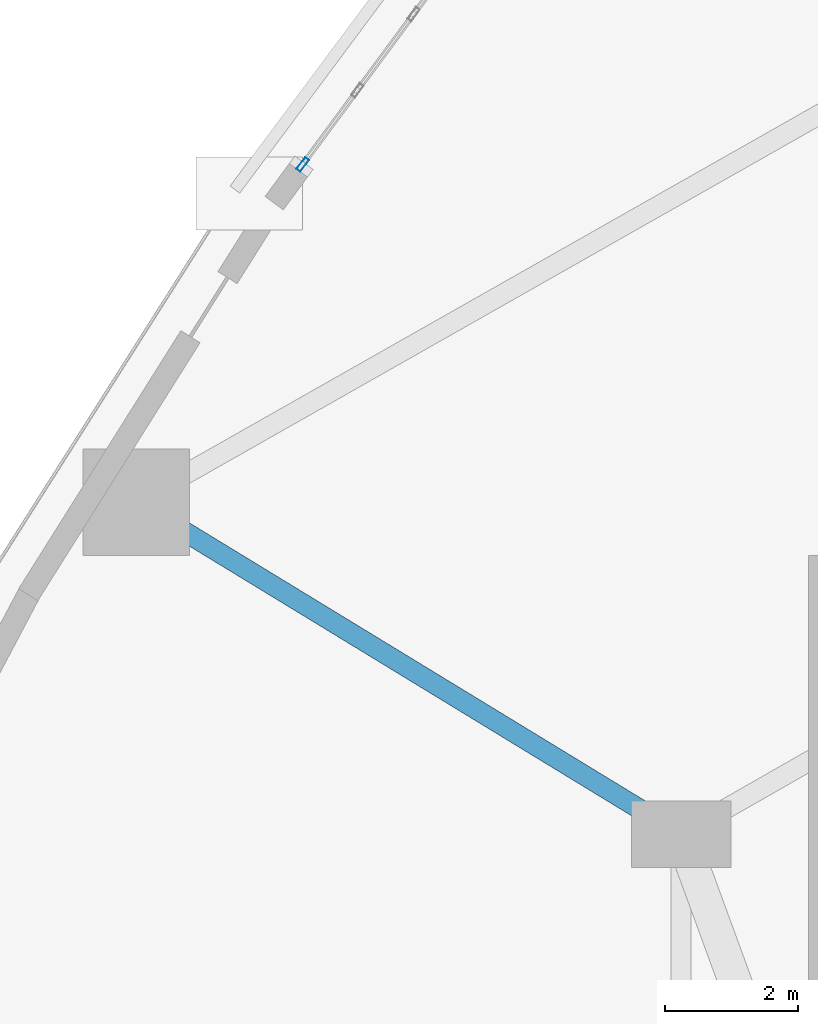
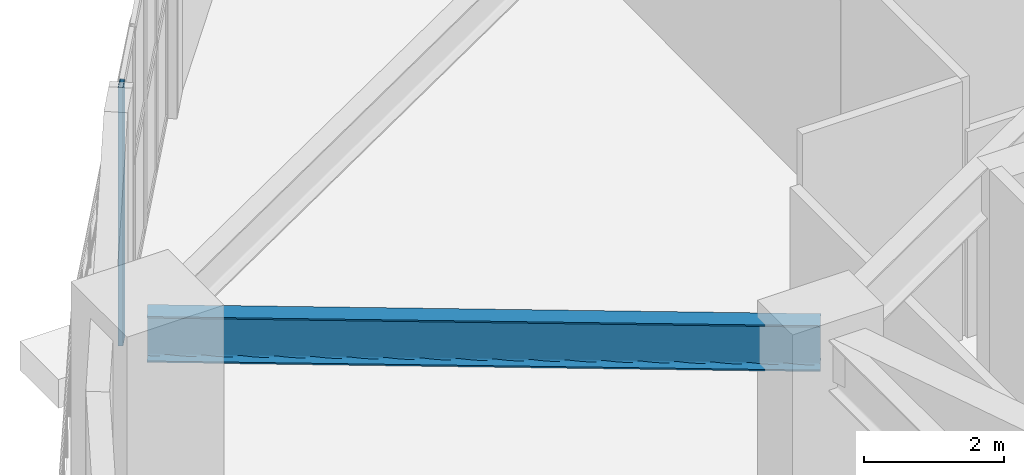
# One storey, part 8 of 23: 1 beam, 1 member, 1 element without a shape of its own.
"""IFC4 building model written with IfcOpenShell, lengths in metres."""

from ifc_helpers import new_model, si_unit, direction, frame, origin, origin_2d, place, context, subcontext, project, spatial, hollow_rectangle, i_section, extrude, material, layer, layer_set, material_profile, profile_set, type_object, element, aggregate, save


model = new_model("IFC4")

# Units and contexts
model_context = context("Model", 3, precision=1e-05, world=origin(), true_north=direction((0.0, 1.0)))
body_context = subcontext(model_context, "Body", "Model", "MODEL_VIEW")
ifc_project = project(units=[si_unit("LENGTHUNIT", "METRE"), si_unit("AREAUNIT", "SQUARE_METRE"), si_unit("VOLUMEUNIT", "CUBIC_METRE"), si_unit("PLANEANGLEUNIT", "RADIAN"), si_unit("MASSUNIT", "GRAM", prefix="KILO")], contexts=[model_context])

# Site, building, storey
site_placement = place(None, origin())
site = spatial("IfcSite", under=ifc_project, at=site_placement, CompositionType="ELEMENT")
building_placement = place(site_placement, origin())
building = spatial("IfcBuilding", under=site, at=building_placement, Name="Miruveldt Soraemaru", CompositionType="ELEMENT")
storey_placement = place(building_placement, frame((0.0, 0.0, 9.60009765625)))
storey = spatial("IfcBuildingStorey", under=building, at=storey_placement, Name="L03", CompositionType="ELEMENT", Elevation=9.60009765625)

# Beam
ifc_material_1 = material(Name="Steel S460 (460 MPa)", Category="steel")
ifc_material_profile_1 = material_profile(ifc_material_1, i_section(OverallWidth=0.300048828125, OverallDepth=0.800048828125, WebThickness=0.013916015625, FlangeThickness=0.02587890625, FilletRadius=0.028076171875, at=origin_2d()), Name="Steel S460 (460 MPa)", Category="steel")
ifc_profile_set_1 = profile_set([ifc_material_profile_1], Name="Steel S460 (460 MPa)")
beam_type = type_object("IfcBeamType", Name="BM-ST-H800", PredefinedType="BEAM", material=ifc_profile_set_1)
beam_placement = place(storey_placement, frame((31.39990234375, 50.39990234375, 4.099853515625), z_axis=(-0.853794797843, 0.520609684098, 0.0), x_axis=(-0.520609684098, -0.853794797843, 0.0)))
element("IfcBeam", 1, at=beam_placement, inside=storey, type_object=beam_type, Name="L03 Podium Radial Girder 6", PredefinedType="BEAM", context=body_context, shape_type="SweptSolid", body=[
    extrude(i_section(OverallWidth=0.300048828125, OverallDepth=0.800048828125, WebThickness=0.013916015625, FlangeThickness=0.02587890625, FilletRadius=0.028076171875, at=origin_2d()), origin(), (0.0, 0.0, 1.0), 9.60400390625),
])

# Curtain wall, member
ifc_material_2 = material(Name="Anodised aluminium EN AW-6063 T6", Category="aluminium")
ifc_layer = layer(ifc_material_2, 0.219970703125, Name="Anodised aluminium EN AW-6063 T6", Category="aluminium")
ifc_layer_set = layer_set([ifc_layer], Name="Anodised aluminium EN AW-6063 T6")
curtain_wall_type = type_object("IfcCurtainWallType", Name="CW-SYS-2", PredefinedType="USERDEFINED", material=ifc_layer_set)
curtain_wall_placement = place(storey_placement, origin())
curtain_wall = element("IfcCurtainWall", 2, at=curtain_wall_placement, inside=storey, type_object=curtain_wall_type, Name="L03 Curtain Wall Bay 9", ObjectType="STOREFRONT", PredefinedType="USERDEFINED")
ifc_material_profile_2 = material_profile(ifc_material_2, hollow_rectangle(XDim=0.074951171875, YDim=0.219970703125, WallThickness=0.0048828125, at=origin_2d()), Name="Anodised aluminium EN AW-6063 T6", Category="aluminium")
ifc_profile_set_2 = profile_set([ifc_material_profile_2], Name="Anodised aluminium EN AW-6063 T6")
member_type = type_object("IfcMemberType", Name="CWM-2", PredefinedType="MULLION", material=ifc_profile_set_2)
member_placement = place(storey_placement, frame((25.705078125, 60.480712890625, 0.0), z_axis=(0.0, 0.0, 1.0), x_axis=(0.804695673223, -0.593687521762, 0.0)))
member = element("IfcMember", 3, at=member_placement, type_object=member_type, Name="CW-2 mullion 5", PredefinedType="MULLION", context=body_context, shape_type="SweptSolid", body=[
    extrude(hollow_rectangle(XDim=0.074951171875, YDim=0.219970703125, WallThickness=0.0048828125, at=origin_2d()), origin(), (0.0, 0.0, 1.0), 4.5),
])
aggregate(curtain_wall, [member])

save(model, "model.ifc")
